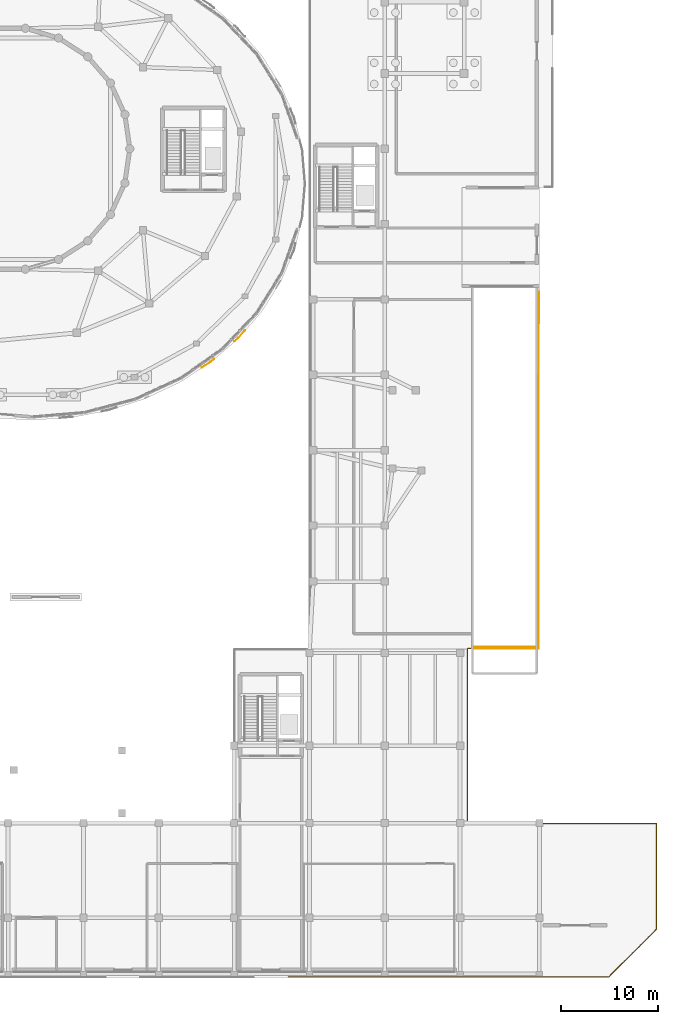
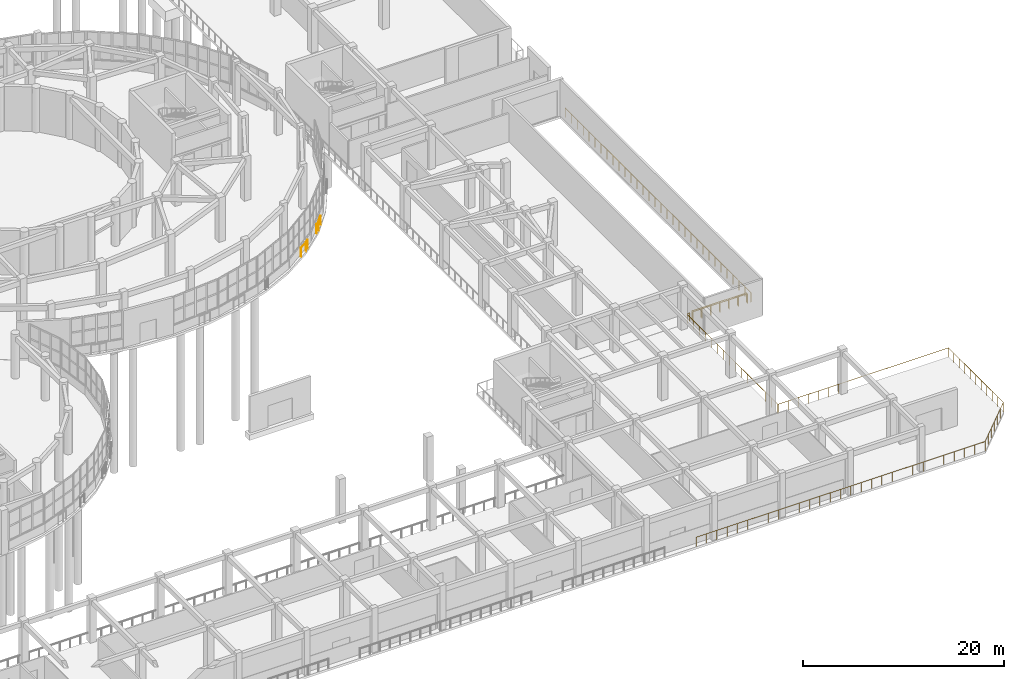
# One storey, part 92 of 96: 6 railings.
"""IFC4 building model written with IfcOpenShell, lengths in metres."""

from ifc_helpers import new_model, si_unit, direction, frame, origin, origin_2d, place, context, subcontext, project, spatial, circle, extrude, material, type_object, element, save


model = new_model("IFC4")

# Units and contexts
model_context = context("Model", 3, precision=1e-05, world=origin(), true_north=direction((0.0, 1.0)))
body_context = subcontext(model_context, "Body", "Model", "MODEL_VIEW")
ifc_project = project(units=[si_unit("LENGTHUNIT", "METRE"), si_unit("AREAUNIT", "SQUARE_METRE"), si_unit("VOLUMEUNIT", "CUBIC_METRE"), si_unit("PLANEANGLEUNIT", "RADIAN"), si_unit("MASSUNIT", "GRAM", prefix="KILO")], contexts=[model_context])

# Site, building, storey
site_placement = place(None, origin())
site = spatial("IfcSite", under=ifc_project, at=site_placement, CompositionType="ELEMENT")
building_placement = place(site_placement, origin())
building = spatial("IfcBuilding", under=site, at=building_placement, Name="Pelvatis Terrace Science Centre", CompositionType="ELEMENT")
storey_placement = place(building_placement, origin())
storey = spatial("IfcBuildingStorey", under=building, at=storey_placement, Name="L00", CompositionType="ELEMENT", Elevation=0.0)

# Railings
ifc_material = material(Name="Bronze-anodised aluminium and laminated safety glass balustrade", Category="aluminium")
railing_type = type_object("IfcRailingType", Name="RLG-BAL-1150", PredefinedType="BALUSTRADE", material=ifc_material)
railing_1_placement = place(storey_placement, frame((164.139892578125, 71.0, 0.0)))
element("IfcRailing", 1, at=railing_1_placement, inside=storey, type_object=railing_type, Name="Perimeter edge balustrade RLG-EDG-L00-007", PredefinedType="BALUSTRADE", context=body_context, shape_type="SweptSolid", body=[
    extrude(circle(Radius=0.02392578125, at=origin_2d()), frame((0.0, 0.0, 1.1259765625), z_axis=(-0.000740221599, -0.999999726036, 0.0), x_axis=(0.999999726036, -0.000740221599, 0.0)), (0.0, 0.0, 1.0), 36.93994140625),
    extrude(circle(Radius=0.02099609375, at=origin_2d()), origin(), (0.0, 0.0, 1.0), 1.101806640625),
    extrude(circle(Radius=0.02099609375, at=origin_2d()), frame((-0.0009765625, -1.191650390625, 0.0)), (0.0, 0.0, 1.0), 1.101806640625),
    extrude(circle(Radius=0.02099609375, at=origin_2d()), frame((-0.001708984375, -2.38330078125, 0.0)), (0.0, 0.0, 1.0), 1.101806640625),
    extrude(circle(Radius=0.02099609375, at=origin_2d()), frame((-0.002685546875, -3.574951171875, 0.0)), (0.0, 0.0, 1.0), 1.101806640625),
    extrude(circle(Radius=0.02099609375, at=origin_2d()), frame((-0.00341796875, -4.766357421875, 0.0)), (0.0, 0.0, 1.0), 1.101806640625),
    extrude(circle(Radius=0.02099609375, at=origin_2d()), frame((-0.00439453125, -5.9580078125, 0.0)), (0.0, 0.0, 1.0), 1.101806640625),
    extrude(circle(Radius=0.02099609375, at=origin_2d()), frame((-0.00537109375, -7.149658203125, 0.0)), (0.0, 0.0, 1.0), 1.101806640625),
    extrude(circle(Radius=0.02099609375, at=origin_2d()), frame((-0.006103515625, -8.34130859375, 0.0)), (0.0, 0.0, 1.0), 1.101806640625),
    extrude(circle(Radius=0.02099609375, at=origin_2d()), frame((-0.007080078125, -9.532958984375, 0.0)), (0.0, 0.0, 1.0), 1.101806640625),
    extrude(circle(Radius=0.02099609375, at=origin_2d()), frame((-0.008056640625, -10.724609375, 0.0)), (0.0, 0.0, 1.0), 1.101806640625),
    extrude(circle(Radius=0.02099609375, at=origin_2d()), frame((-0.0087890625, -11.916015625, 0.0)), (0.0, 0.0, 1.0), 1.101806640625),
    extrude(circle(Radius=0.02099609375, at=origin_2d()), frame((-0.009765625, -13.107666015625, 0.0)), (0.0, 0.0, 1.0), 1.101806640625),
    extrude(circle(Radius=0.02099609375, at=origin_2d()), frame((-0.010498046875, -14.29931640625, 0.0)), (0.0, 0.0, 1.0), 1.101806640625),
    extrude(circle(Radius=0.02099609375, at=origin_2d()), frame((-0.011474609375, -15.490966796875, 0.0)), (0.0, 0.0, 1.0), 1.101806640625),
    extrude(circle(Radius=0.02099609375, at=origin_2d()), frame((-0.012451171875, -16.6826171875, 0.0)), (0.0, 0.0, 1.0), 1.101806640625),
    extrude(circle(Radius=0.02099609375, at=origin_2d()), frame((-0.01318359375, -17.874267578125, 0.0)), (0.0, 0.0, 1.0), 1.101806640625),
    extrude(circle(Radius=0.02099609375, at=origin_2d()), frame((-0.01416015625, -19.065673828125, 0.0)), (0.0, 0.0, 1.0), 1.101806640625),
    extrude(circle(Radius=0.02099609375, at=origin_2d()), frame((-0.014892578125, -20.25732421875, 0.0)), (0.0, 0.0, 1.0), 1.101806640625),
    extrude(circle(Radius=0.02099609375, at=origin_2d()), frame((-0.015869140625, -21.448974609375, 0.0)), (0.0, 0.0, 1.0), 1.101806640625),
    extrude(circle(Radius=0.02099609375, at=origin_2d()), frame((-0.016845703125, -22.640625, 0.0)), (0.0, 0.0, 1.0), 1.101806640625),
    extrude(circle(Radius=0.02099609375, at=origin_2d()), frame((-0.017578125, -23.832275390625, 0.0)), (0.0, 0.0, 1.0), 1.101806640625),
    extrude(circle(Radius=0.02099609375, at=origin_2d()), frame((-0.0185546875, -25.02392578125, 0.0)), (0.0, 0.0, 1.0), 1.101806640625),
    extrude(circle(Radius=0.02099609375, at=origin_2d()), frame((-0.019287109375, -26.21533203125, 0.0)), (0.0, 0.0, 1.0), 1.101806640625),
    extrude(circle(Radius=0.02099609375, at=origin_2d()), frame((-0.020263671875, -27.406982421875, 0.0)), (0.0, 0.0, 1.0), 1.101806640625),
    extrude(circle(Radius=0.02099609375, at=origin_2d()), frame((-0.021240234375, -28.5986328125, 0.0)), (0.0, 0.0, 1.0), 1.101806640625),
    extrude(circle(Radius=0.02099609375, at=origin_2d()), frame((-0.02197265625, -29.790283203125, 0.0)), (0.0, 0.0, 1.0), 1.101806640625),
    extrude(circle(Radius=0.02099609375, at=origin_2d()), frame((-0.02294921875, -30.98193359375, 0.0)), (0.0, 0.0, 1.0), 1.101806640625),
    extrude(circle(Radius=0.02099609375, at=origin_2d()), frame((-0.02392578125, -32.173583984375, 0.0)), (0.0, 0.0, 1.0), 1.101806640625),
    extrude(circle(Radius=0.02099609375, at=origin_2d()), frame((-0.024658203125, -33.364990234375, 0.0)), (0.0, 0.0, 1.0), 1.101806640625),
    extrude(circle(Radius=0.02099609375, at=origin_2d()), frame((-0.025634765625, -34.556640625, 0.0)), (0.0, 0.0, 1.0), 1.101806640625),
    extrude(circle(Radius=0.02099609375, at=origin_2d()), frame((-0.0263671875, -35.748291015625, 0.0)), (0.0, 0.0, 1.0), 1.101806640625),
    extrude(circle(Radius=0.02099609375, at=origin_2d()), frame((-0.02734375, -36.93994140625, 0.0)), (0.0, 0.0, 1.0), 1.101806640625),
])
railing_2_placement = place(storey_placement, frame((163.7275390625, 34.060302734375, 0.0)))
element("IfcRailing", 2, at=railing_2_placement, inside=storey, type_object=railing_type, Name="Perimeter edge balustrade RLG-EDG-L00-008", PredefinedType="BALUSTRADE", context=body_context, shape_type="SweptSolid", body=[
    extrude(circle(Radius=0.02392578125, at=origin_2d()), frame((0.0, 0.0, 1.1259765625), z_axis=(-0.999999631343, 0.000858670305, 0.0), x_axis=(-0.000858670305, -0.999999631343, 0.0)), (0.0, 0.0, 1.0), 6.255126953125),
    extrude(circle(Radius=0.02099609375, at=origin_2d()), origin(), (0.0, 0.0, 1.0), 1.101806640625),
    extrude(circle(Radius=0.02099609375, at=origin_2d()), frame((-1.04248046875, 0.0009765625, 0.0)), (0.0, 0.0, 1.0), 1.101806640625),
    extrude(circle(Radius=0.02099609375, at=origin_2d()), frame((-2.0849609375, 0.001708984375, 0.0)), (0.0, 0.0, 1.0), 1.101806640625),
    extrude(circle(Radius=0.02099609375, at=origin_2d()), frame((-3.12744140625, 0.002685546875, 0.0)), (0.0, 0.0, 1.0), 1.101806640625),
    extrude(circle(Radius=0.02099609375, at=origin_2d()), frame((-4.170166015625, 0.003662109375, 0.0)), (0.0, 0.0, 1.0), 1.101806640625),
    extrude(circle(Radius=0.02099609375, at=origin_2d()), frame((-5.212646484375, 0.00439453125, 0.0)), (0.0, 0.0, 1.0), 1.101806640625),
    extrude(circle(Radius=0.02099609375, at=origin_2d()), frame((-6.255126953125, 0.00537109375, 0.0)), (0.0, 0.0, 1.0), 1.101806640625),
])
railing_3_placement = place(storey_placement, frame((157.08740234375, 34.06591796875, 0.0)))
element("IfcRailing", 3, at=railing_3_placement, inside=storey, type_object=railing_type, Name="Perimeter edge balustrade RLG-EDG-L00-009", PredefinedType="BALUSTRADE", context=body_context, shape_type="SweptSolid", body=[
    extrude(circle(Radius=0.02392578125, at=origin_2d()), frame((0.0, 0.0, 1.1259765625), z_axis=(-0.999932643923, -0.011606361046, 0.0), x_axis=(0.011606361046, -0.999932643923, 0.0)), (0.0, 0.0, 1.0), 0.2734375),
    extrude(circle(Radius=0.02392578125, at=origin_2d()), frame((-0.2734375, -0.003173828125, 1.1259765625), z_axis=(-0.608642374601, -0.79344467976, 0.0), x_axis=(0.79344467976, -0.608642374601, 0.0)), (0.0, 0.0, 1.0), 0.12158203125),
    extrude(circle(Radius=0.02392578125, at=origin_2d()), frame((-0.347412109375, -0.099609375, 1.1259765625), z_axis=(0.000855466527, -0.999999634088, 0.0), x_axis=(0.999999634088, 0.000855466527, 0.0)), (0.0, 0.0, 1.0), 17.9794921875),
    extrude(circle(Radius=0.02392578125, at=origin_2d()), frame((-0.33203125, -18.0791015625, 1.1259765625), z_axis=(0.874988588921, -0.484143541997, 0.0), x_axis=(0.484143541997, 0.874988588921, 0.0)), (0.0, 0.0, 1.0), 0.096923828125),
    extrude(circle(Radius=0.02392578125, at=origin_2d()), frame((-0.247314453125, -18.1259765625, 1.1259765625), z_axis=(1.0, 0.0, 0.0), x_axis=(0.0, 1.0, 0.0)), (0.0, 0.0, 1.0), 19.5),
    extrude(circle(Radius=0.02392578125, at=origin_2d()), frame((19.252685546875, -18.1259765625, 1.1259765625), z_axis=(0.0, -1.0, 0.0), x_axis=(1.0, 0.0, 0.0)), (0.0, 0.0, 1.0), 10.9150390625),
    extrude(circle(Radius=0.02392578125, at=origin_2d()), frame((19.252685546875, -29.041015625, 1.1259765625), z_axis=(-0.707124166137, -0.707089395809, 0.0), x_axis=(0.707089395809, -0.707124166137, 0.0)), (0.0, 0.0, 1.0), 7.021484375),
    extrude(circle(Radius=0.02392578125, at=origin_2d()), frame((14.28759765625, -34.005859375, 1.1259765625), z_axis=(-1.0, 0.0, 0.0), x_axis=(0.0, -1.0, 0.0)), (0.0, 0.0, 1.0), 33.175048828125),
    extrude(circle(Radius=0.02099609375, at=origin_2d()), origin(), (0.0, 0.0, 1.0), 1.101806640625),
    extrude(circle(Radius=0.02099609375, at=origin_2d()), frame((-0.2734375, -0.003173828125, 0.0)), (0.0, 0.0, 1.0), 1.101806640625),
    extrude(circle(Radius=0.02099609375, at=origin_2d()), frame((-0.347412109375, -0.099609375, 0.0)), (0.0, 0.0, 1.0), 1.101806640625),
    extrude(circle(Radius=0.02099609375, at=origin_2d()), frame((-0.346435546875, -1.29833984375, 0.0)), (0.0, 0.0, 1.0), 1.101806640625),
    extrude(circle(Radius=0.02099609375, at=origin_2d()), frame((-0.345458984375, -2.496826171875, 0.0)), (0.0, 0.0, 1.0), 1.101806640625),
    extrude(circle(Radius=0.02099609375, at=origin_2d()), frame((-0.34423828125, -3.695556640625, 0.0)), (0.0, 0.0, 1.0), 1.101806640625),
    extrude(circle(Radius=0.02099609375, at=origin_2d()), frame((-0.34326171875, -4.89404296875, 0.0)), (0.0, 0.0, 1.0), 1.101806640625),
    extrude(circle(Radius=0.02099609375, at=origin_2d()), frame((-0.34228515625, -6.0927734375, 0.0)), (0.0, 0.0, 1.0), 1.101806640625),
    extrude(circle(Radius=0.02099609375, at=origin_2d()), frame((-0.34130859375, -7.29150390625, 0.0)), (0.0, 0.0, 1.0), 1.101806640625),
    extrude(circle(Radius=0.02099609375, at=origin_2d()), frame((-0.34033203125, -8.489990234375, 0.0)), (0.0, 0.0, 1.0), 1.101806640625),
    extrude(circle(Radius=0.02099609375, at=origin_2d()), frame((-0.339111328125, -9.688720703125, 0.0)), (0.0, 0.0, 1.0), 1.101806640625),
    extrude(circle(Radius=0.02099609375, at=origin_2d()), frame((-0.338134765625, -10.88720703125, 0.0)), (0.0, 0.0, 1.0), 1.101806640625),
    extrude(circle(Radius=0.02099609375, at=origin_2d()), frame((-0.337158203125, -12.0859375, 0.0)), (0.0, 0.0, 1.0), 1.101806640625),
    extrude(circle(Radius=0.02099609375, at=origin_2d()), frame((-0.336181640625, -13.28466796875, 0.0)), (0.0, 0.0, 1.0), 1.101806640625),
    extrude(circle(Radius=0.02099609375, at=origin_2d()), frame((-0.335205078125, -14.483154296875, 0.0)), (0.0, 0.0, 1.0), 1.101806640625),
    extrude(circle(Radius=0.02099609375, at=origin_2d()), frame((-0.333984375, -15.681884765625, 0.0)), (0.0, 0.0, 1.0), 1.101806640625),
    extrude(circle(Radius=0.02099609375, at=origin_2d()), frame((-0.3330078125, -16.88037109375, 0.0)), (0.0, 0.0, 1.0), 1.101806640625),
    extrude(circle(Radius=0.02099609375, at=origin_2d()), frame((-0.33203125, -18.0791015625, 0.0)), (0.0, 0.0, 1.0), 1.101806640625),
    extrude(circle(Radius=0.02099609375, at=origin_2d()), frame((-0.247314453125, -18.1259765625, 0.0)), (0.0, 0.0, 1.0), 1.101806640625),
    extrude(circle(Radius=0.02099609375, at=origin_2d()), frame((0.899658203125, -18.1259765625, 0.0)), (0.0, 0.0, 1.0), 1.101806640625),
    extrude(circle(Radius=0.02099609375, at=origin_2d()), frame((2.046875, -18.1259765625, 0.0)), (0.0, 0.0, 1.0), 1.101806640625),
    extrude(circle(Radius=0.02099609375, at=origin_2d()), frame((3.19384765625, -18.1259765625, 0.0)), (0.0, 0.0, 1.0), 1.101806640625),
    extrude(circle(Radius=0.02099609375, at=origin_2d()), frame((4.3408203125, -18.1259765625, 0.0)), (0.0, 0.0, 1.0), 1.101806640625),
    extrude(circle(Radius=0.02099609375, at=origin_2d()), frame((5.488037109375, -18.1259765625, 0.0)), (0.0, 0.0, 1.0), 1.101806640625),
    extrude(circle(Radius=0.02099609375, at=origin_2d()), frame((6.635009765625, -18.1259765625, 0.0)), (0.0, 0.0, 1.0), 1.101806640625),
    extrude(circle(Radius=0.02099609375, at=origin_2d()), frame((7.781982421875, -18.1259765625, 0.0)), (0.0, 0.0, 1.0), 1.101806640625),
    extrude(circle(Radius=0.02099609375, at=origin_2d()), frame((8.92919921875, -18.1259765625, 0.0)), (0.0, 0.0, 1.0), 1.101806640625),
    extrude(circle(Radius=0.02099609375, at=origin_2d()), frame((10.076171875, -18.1259765625, 0.0)), (0.0, 0.0, 1.0), 1.101806640625),
    extrude(circle(Radius=0.02099609375, at=origin_2d()), frame((11.223388671875, -18.1259765625, 0.0)), (0.0, 0.0, 1.0), 1.101806640625),
    extrude(circle(Radius=0.02099609375, at=origin_2d()), frame((12.370361328125, -18.1259765625, 0.0)), (0.0, 0.0, 1.0), 1.101806640625),
    extrude(circle(Radius=0.02099609375, at=origin_2d()), frame((13.517333984375, -18.1259765625, 0.0)), (0.0, 0.0, 1.0), 1.101806640625),
    extrude(circle(Radius=0.02099609375, at=origin_2d()), frame((14.66455078125, -18.1259765625, 0.0)), (0.0, 0.0, 1.0), 1.101806640625),
    extrude(circle(Radius=0.02099609375, at=origin_2d()), frame((15.8115234375, -18.1259765625, 0.0)), (0.0, 0.0, 1.0), 1.101806640625),
    extrude(circle(Radius=0.02099609375, at=origin_2d()), frame((16.95849609375, -18.1259765625, 0.0)), (0.0, 0.0, 1.0), 1.101806640625),
    extrude(circle(Radius=0.02099609375, at=origin_2d()), frame((18.105712890625, -18.1259765625, 0.0)), (0.0, 0.0, 1.0), 1.101806640625),
    extrude(circle(Radius=0.02099609375, at=origin_2d()), frame((19.252685546875, -18.1259765625, 0.0)), (0.0, 0.0, 1.0), 1.101806640625),
    extrude(circle(Radius=0.02099609375, at=origin_2d()), frame((19.252685546875, -19.217529296875, 0.0)), (0.0, 0.0, 1.0), 1.101806640625),
    extrude(circle(Radius=0.02099609375, at=origin_2d()), frame((19.252685546875, -20.30908203125, 0.0)), (0.0, 0.0, 1.0), 1.101806640625),
    extrude(circle(Radius=0.02099609375, at=origin_2d()), frame((19.252685546875, -21.400390625, 0.0)), (0.0, 0.0, 1.0), 1.101806640625),
    extrude(circle(Radius=0.02099609375, at=origin_2d()), frame((19.252685546875, -22.491943359375, 0.0)), (0.0, 0.0, 1.0), 1.101806640625),
    extrude(circle(Radius=0.02099609375, at=origin_2d()), frame((19.252685546875, -23.58349609375, 0.0)), (0.0, 0.0, 1.0), 1.101806640625),
    extrude(circle(Radius=0.02099609375, at=origin_2d()), frame((19.252685546875, -24.675048828125, 0.0)), (0.0, 0.0, 1.0), 1.101806640625),
    extrude(circle(Radius=0.02099609375, at=origin_2d()), frame((19.252685546875, -25.7666015625, 0.0)), (0.0, 0.0, 1.0), 1.101806640625),
    extrude(circle(Radius=0.02099609375, at=origin_2d()), frame((19.252685546875, -26.85791015625, 0.0)), (0.0, 0.0, 1.0), 1.101806640625),
    extrude(circle(Radius=0.02099609375, at=origin_2d()), frame((19.252685546875, -27.949462890625, 0.0)), (0.0, 0.0, 1.0), 1.101806640625),
    extrude(circle(Radius=0.02099609375, at=origin_2d()), frame((19.252685546875, -29.041015625, 0.0)), (0.0, 0.0, 1.0), 1.101806640625),
    extrude(circle(Radius=0.02099609375, at=origin_2d()), frame((18.42529296875, -29.868408203125, 0.0)), (0.0, 0.0, 1.0), 1.101806640625),
    extrude(circle(Radius=0.02099609375, at=origin_2d()), frame((17.59765625, -30.696044921875, 0.0)), (0.0, 0.0, 1.0), 1.101806640625),
    extrude(circle(Radius=0.02099609375, at=origin_2d()), frame((16.77001953125, -31.5234375, 0.0)), (0.0, 0.0, 1.0), 1.101806640625),
    extrude(circle(Radius=0.02099609375, at=origin_2d()), frame((15.942626953125, -32.350830078125, 0.0)), (0.0, 0.0, 1.0), 1.101806640625),
    extrude(circle(Radius=0.02099609375, at=origin_2d()), frame((15.115234375, -33.178466796875, 0.0)), (0.0, 0.0, 1.0), 1.101806640625),
    extrude(circle(Radius=0.02099609375, at=origin_2d()), frame((14.28759765625, -34.005859375, 0.0)), (0.0, 0.0, 1.0), 1.101806640625),
    extrude(circle(Radius=0.02099609375, at=origin_2d()), frame((13.102783203125, -34.005859375, 0.0)), (0.0, 0.0, 1.0), 1.101806640625),
    extrude(circle(Radius=0.02099609375, at=origin_2d()), frame((11.91796875, -34.005859375, 0.0)), (0.0, 0.0, 1.0), 1.101806640625),
    extrude(circle(Radius=0.02099609375, at=origin_2d()), frame((10.733154296875, -34.005859375, 0.0)), (0.0, 0.0, 1.0), 1.101806640625),
    extrude(circle(Radius=0.02099609375, at=origin_2d()), frame((9.54833984375, -34.005859375, 0.0)), (0.0, 0.0, 1.0), 1.101806640625),
    extrude(circle(Radius=0.02099609375, at=origin_2d()), frame((8.363525390625, -34.005859375, 0.0)), (0.0, 0.0, 1.0), 1.101806640625),
    extrude(circle(Radius=0.02099609375, at=origin_2d()), frame((7.1787109375, -34.005859375, 0.0)), (0.0, 0.0, 1.0), 1.101806640625),
    extrude(circle(Radius=0.02099609375, at=origin_2d()), frame((5.993896484375, -34.005859375, 0.0)), (0.0, 0.0, 1.0), 1.101806640625),
    extrude(circle(Radius=0.02099609375, at=origin_2d()), frame((4.80908203125, -34.005859375, 0.0)), (0.0, 0.0, 1.0), 1.101806640625),
    extrude(circle(Radius=0.02099609375, at=origin_2d()), frame((3.624267578125, -34.005859375, 0.0)), (0.0, 0.0, 1.0), 1.101806640625),
    extrude(circle(Radius=0.02099609375, at=origin_2d()), frame((2.439453125, -34.005859375, 0.0)), (0.0, 0.0, 1.0), 1.101806640625),
    extrude(circle(Radius=0.02099609375, at=origin_2d()), frame((1.254638671875, -34.005859375, 0.0)), (0.0, 0.0, 1.0), 1.101806640625),
    extrude(circle(Radius=0.02099609375, at=origin_2d()), frame((0.06982421875, -34.005859375, 0.0)), (0.0, 0.0, 1.0), 1.101806640625),
    extrude(circle(Radius=0.02099609375, at=origin_2d()), frame((-1.114990234375, -34.005859375, 0.0)), (0.0, 0.0, 1.0), 1.101806640625),
    extrude(circle(Radius=0.02099609375, at=origin_2d()), frame((-2.2998046875, -34.005859375, 0.0)), (0.0, 0.0, 1.0), 1.101806640625),
    extrude(circle(Radius=0.02099609375, at=origin_2d()), frame((-3.48486328125, -34.005859375, 0.0)), (0.0, 0.0, 1.0), 1.101806640625),
    extrude(circle(Radius=0.02099609375, at=origin_2d()), frame((-4.669677734375, -34.005859375, 0.0)), (0.0, 0.0, 1.0), 1.101806640625),
    extrude(circle(Radius=0.02099609375, at=origin_2d()), frame((-5.8544921875, -34.005859375, 0.0)), (0.0, 0.0, 1.0), 1.101806640625),
    extrude(circle(Radius=0.02099609375, at=origin_2d()), frame((-7.039306640625, -34.005859375, 0.0)), (0.0, 0.0, 1.0), 1.101806640625),
    extrude(circle(Radius=0.02099609375, at=origin_2d()), frame((-8.22412109375, -34.005859375, 0.0)), (0.0, 0.0, 1.0), 1.101806640625),
    extrude(circle(Radius=0.02099609375, at=origin_2d()), frame((-9.408935546875, -34.005859375, 0.0)), (0.0, 0.0, 1.0), 1.101806640625),
    extrude(circle(Radius=0.02099609375, at=origin_2d()), frame((-10.59375, -34.005859375, 0.0)), (0.0, 0.0, 1.0), 1.101806640625),
    extrude(circle(Radius=0.02099609375, at=origin_2d()), frame((-11.778564453125, -34.005859375, 0.0)), (0.0, 0.0, 1.0), 1.101806640625),
    extrude(circle(Radius=0.02099609375, at=origin_2d()), frame((-12.96337890625, -34.005859375, 0.0)), (0.0, 0.0, 1.0), 1.101806640625),
    extrude(circle(Radius=0.02099609375, at=origin_2d()), frame((-14.148193359375, -34.005859375, 0.0)), (0.0, 0.0, 1.0), 1.101806640625),
    extrude(circle(Radius=0.02099609375, at=origin_2d()), frame((-15.3330078125, -34.005859375, 0.0)), (0.0, 0.0, 1.0), 1.101806640625),
    extrude(circle(Radius=0.02099609375, at=origin_2d()), frame((-16.517822265625, -34.005859375, 0.0)), (0.0, 0.0, 1.0), 1.101806640625),
    extrude(circle(Radius=0.02099609375, at=origin_2d()), frame((-17.70263671875, -34.005859375, 0.0)), (0.0, 0.0, 1.0), 1.101806640625),
    extrude(circle(Radius=0.02099609375, at=origin_2d()), frame((-18.887451171875, -34.005859375, 0.0)), (0.0, 0.0, 1.0), 1.101806640625),
])
railing_4_placement = place(storey_placement, frame((157.472412109375, 34.239990234375, 0.0)))
element("IfcRailing", 4, at=railing_4_placement, inside=storey, type_object=railing_type, Name="Perimeter edge balustrade RLG-EDG-L00-014", PredefinedType="BALUSTRADE", context=body_context, shape_type="SweptSolid", body=[
    extrude(circle(Radius=0.02392578125, at=origin_2d()), frame((0.0, 0.0, 1.1259765625), z_axis=(1.0, 0.0, 0.0), x_axis=(0.0, 1.0, 0.0)), (0.0, 0.0, 1.0), 6.255126953125),
    extrude(circle(Radius=0.02099609375, at=origin_2d()), origin(), (0.0, 0.0, 1.0), 1.101806640625),
    extrude(circle(Radius=0.02099609375, at=origin_2d()), frame((1.04248046875, 0.0, 0.0)), (0.0, 0.0, 1.0), 1.101806640625),
    extrude(circle(Radius=0.02099609375, at=origin_2d()), frame((2.0849609375, 0.0, 0.0)), (0.0, 0.0, 1.0), 1.101806640625),
    extrude(circle(Radius=0.02099609375, at=origin_2d()), frame((3.12744140625, 0.0, 0.0)), (0.0, 0.0, 1.0), 1.101806640625),
    extrude(circle(Radius=0.02099609375, at=origin_2d()), frame((4.170166015625, 0.0, 0.0)), (0.0, 0.0, 1.0), 1.101806640625),
    extrude(circle(Radius=0.02099609375, at=origin_2d()), frame((5.212646484375, 0.0, 0.0)), (0.0, 0.0, 1.0), 1.101806640625),
    extrude(circle(Radius=0.02099609375, at=origin_2d()), frame((6.255126953125, 0.0, 0.0)), (0.0, 0.0, 1.0), 1.101806640625),
])
railing_5_placement = place(storey_placement, frame((133.70947265625, 66.991943359375, 0.0)))
element("IfcRailing", 5, at=railing_5_placement, inside=storey, type_object=railing_type, Name="Perimeter edge balustrade RLG-EDG-L00-042", PredefinedType="BALUSTRADE", context=body_context, shape_type="SweptSolid", body=[
    extrude(circle(Radius=0.02392578125, at=origin_2d()), frame((0.0, 0.0, 1.1259765625), z_axis=(-0.655505366975, -0.755190514948, 0.0), x_axis=(0.755190514948, -0.655505366975, 0.0)), (0.0, 0.0, 1.0), 1.05078125),
    extrude(circle(Radius=0.02392578125, at=origin_2d()), frame((-0.688720703125, -0.79345703125, 1.1259765625), z_axis=(-0.757029890832, -0.65338024487, 0.0), x_axis=(0.65338024487, -0.757029890832, 0.0)), (0.0, 0.0, 1.0), 0.504150390625),
    extrude(circle(Radius=0.02099609375, at=origin_2d()), origin(), (0.0, 0.0, 1.0), 1.101806640625),
    extrude(circle(Radius=0.02099609375, at=origin_2d()), frame((-0.688720703125, -0.79345703125, 0.0)), (0.0, 0.0, 1.0), 1.101806640625),
    extrude(circle(Radius=0.02099609375, at=origin_2d()), frame((-1.0703125, -1.122802734375, 0.0)), (0.0, 0.0, 1.0), 1.101806640625),
])
railing_6_placement = place(storey_placement, frame((130.510498046875, 64.032958984375, 0.0)))
element("IfcRailing", 6, at=railing_6_placement, inside=storey, type_object=railing_type, Name="Perimeter edge balustrade RLG-EDG-L00-043", PredefinedType="BALUSTRADE", context=body_context, shape_type="SweptSolid", body=[
    extrude(circle(Radius=0.02392578125, at=origin_2d()), frame((0.0, 0.0, 1.1259765625), z_axis=(-0.756930339973, -0.65349557032, 0.0), x_axis=(0.65349557032, -0.756930339973, 0.0)), (0.0, 0.0, 1.0), 0.460205078125),
    extrude(circle(Radius=0.02392578125, at=origin_2d()), frame((-0.348388671875, -0.30078125, 1.1259765625), z_axis=(-0.840104645758, -0.542424358022, 0.0), x_axis=(0.542424358022, -0.840104645758, 0.0)), (0.0, 0.0, 1.0), 1.0654296875),
    extrude(circle(Radius=0.02099609375, at=origin_2d()), origin(), (0.0, 0.0, 1.0), 1.101806640625),
    extrude(circle(Radius=0.02099609375, at=origin_2d()), frame((-0.348388671875, -0.30078125, 0.0)), (0.0, 0.0, 1.0), 1.101806640625),
    extrude(circle(Radius=0.02099609375, at=origin_2d()), frame((-1.243408203125, -0.878662109375, 0.0)), (0.0, 0.0, 1.0), 1.101806640625),
])

save(model, "model.ifc")
